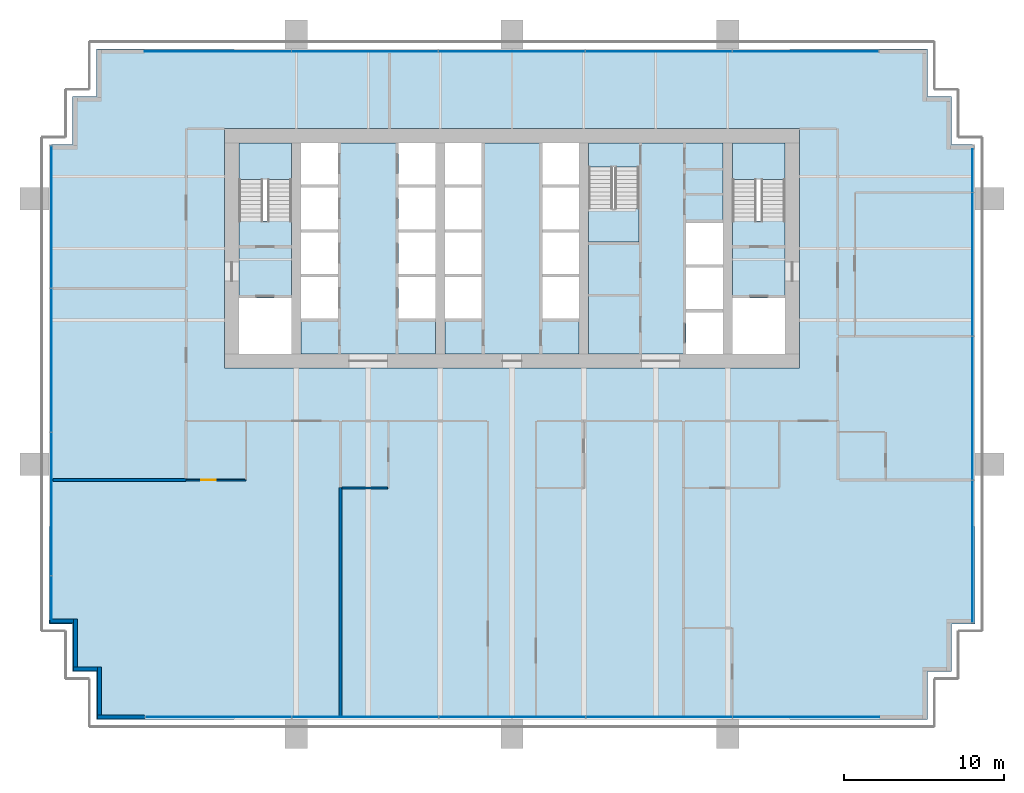
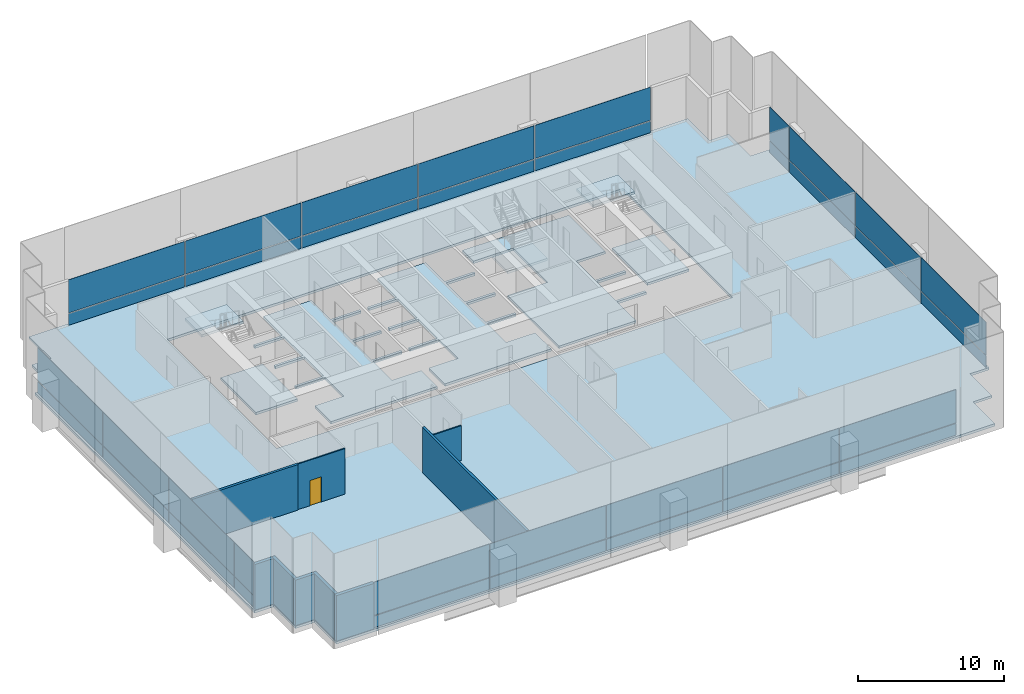
# One storey, part 9 of 16: 36 plates, 9 slabs, 9 walls, 1 door, 1 opening, 7 elements without a shape of their own.
"""IFC4 building model written with IfcOpenShell, lengths in metres."""

from ifc_helpers import new_model, si_unit, direction, frame, frame_2d, origin, origin_2d, place, context, subcontext, project, spatial, polyline, rectangle, outline, extrude, material, layer, layer_set, type_object, element, fill, aggregate, save


model = new_model("IFC4")

# Units and contexts
model_context = context("Model", 3, precision=1e-05, world=origin(), true_north=direction((0.0, 1.0)))
body_context = subcontext(model_context, "Body", "Model", "MODEL_VIEW")
ifc_project = project(units=[si_unit("LENGTHUNIT", "METRE"), si_unit("AREAUNIT", "SQUARE_METRE"), si_unit("VOLUMEUNIT", "CUBIC_METRE"), si_unit("PLANEANGLEUNIT", "RADIAN"), si_unit("MASSUNIT", "GRAM", prefix="KILO")], contexts=[model_context])

# Site, building, storey
site_placement = place(None, origin())
site = spatial("IfcSite", under=ifc_project, at=site_placement, CompositionType="ELEMENT")
building_placement = place(site_placement, origin())
building = spatial("IfcBuilding", under=site, at=building_placement, Name="Rattan Terrace Tower", CompositionType="ELEMENT")
storey_placement = place(building_placement, frame((0.0, 0.0, 150.10009765625)))
storey = spatial("IfcBuildingStorey", under=building, at=storey_placement, Name="L34", CompositionType="ELEMENT", Elevation=150.10009765625)

# Stair, slab
ifc_material_1 = material(Name="Concrete C40/50", Category="concrete")
stair_type = type_object("IfcStairType", Name="Core exit stair 1500", PredefinedType="HALF_TURN_STAIR", material=ifc_material_1)
stair_1_placement = place(storey_placement, origin())
stair_1 = element("IfcStair", 1, at=stair_1_placement, inside=storey, type_object=stair_type, Name="L34 exit stair 1", PredefinedType="HALF_TURN_STAIR")
ifc_material_2 = material(Name="Concrete C40/50", Category="concrete")
ifc_layer_1 = layer(ifc_material_2, 0.199951171875)
ifc_layer_set_1 = layer_set([ifc_layer_1], Name="Core exit stair landing")
slab_type_1 = type_object("IfcSlabType", Name="Core exit stair landing", PredefinedType="LANDING", material=ifc_layer_set_1)
slab_1_placement = place(storey_placement, frame((0.0, 0.0, 1.7998046875)))
slab_1 = element("IfcSlab", 2, at=slab_1_placement, type_object=slab_type_1, Name="S1 landing 1", PredefinedType="LANDING", context=body_context, shape_type="SweptSolid", body=[
    extrude(outline(polyline([(-13.800048828125, 4.300048828125), (-13.800048828125, 6.60009765625), (-17.10009765625, 6.60009765625), (-17.10009765625, 4.300048828125), (-13.800048828125, 4.300048828125)])), origin(), (0.0, 0.0, 1.0), 0.2001953125),
])
aggregate(stair_1, [slab_1])

stair_2_placement = place(storey_placement, origin())
stair_2 = element("IfcStair", 3, at=stair_2_placement, inside=storey, type_object=stair_type, Name="L34 exit stair 2", PredefinedType="HALF_TURN_STAIR")
slab_2_placement = place(storey_placement, frame((0.0, 0.0, 1.7998046875)))
slab_2 = element("IfcSlab", 4, at=slab_2_placement, type_object=slab_type_1, Name="S2 landing 1", PredefinedType="LANDING", context=body_context, shape_type="SweptSolid", body=[
    extrude(outline(polyline([(17.10009765625, 4.300048828125), (17.10009765625, 6.60009765625), (13.800048828125, 6.60009765625), (13.800048828125, 4.300048828125), (17.10009765625, 4.300048828125)])), origin(), (0.0, 0.0, 1.0), 0.2001953125),
])
aggregate(stair_2, [slab_2])

stair_3_placement = place(storey_placement, origin())
stair_3 = element("IfcStair", 5, at=stair_3_placement, inside=storey, type_object=stair_type, Name="L34 exit stair 3", PredefinedType="HALF_TURN_STAIR")
slab_3_placement = place(storey_placement, frame((0.0, 0.0, 1.7998046875)))
slab_3 = element("IfcSlab", 6, at=slab_3_placement, type_object=slab_type_1, Name="S3 landing 1", PredefinedType="LANDING", context=body_context, shape_type="SweptSolid", body=[
    extrude(outline(polyline([(4.800048828125, 2.5), (4.800048828125, 0.39990234375), (7.949951171875, 0.39990234375), (7.949951171875, 2.5), (4.800048828125, 2.5)])), origin(), (0.0, 0.0, 1.0), 0.2001953125),
])
aggregate(stair_3, [slab_3])

# Curtain wall, plates
ifc_material_3 = material(Name="Aluminium and glass", Category="aluminium")
curtain_wall_type = type_object("IfcCurtainWallType", Name="Facade Unitised Curtain Wall", PredefinedType="NOTDEFINED", material=ifc_material_3)
curtain_wall_1_placement = place(storey_placement, origin())
curtain_wall_1 = element("IfcCurtainWall", 7, at=curtain_wall_1_placement, inside=storey, type_object=curtain_wall_type, Name="Curtain wall L34-1", PredefinedType="NOTDEFINED")
ifc_material_4 = material(Name="Aluminium insulated spandrel panel", Category="aluminium")
ifc_layer_2 = layer(ifc_material_4, 0.028076171875)
ifc_layer_set_2 = layer_set([ifc_layer_2], Name="Facade CW Spandrel Panel")
plate_type_1 = type_object("IfcPlateType", Name="Facade CW Spandrel Panel", PredefinedType="CURTAIN_PANEL", material=ifc_layer_set_2)
plate_1_placement = place(storey_placement, frame((28.830078125, -18.96240234375, 0.0), z_axis=(0.0, 0.0, 1.0), x_axis=(0.0, 1.0, 0.0)))
plate_1 = element("IfcPlate", 8, at=plate_1_placement, type_object=plate_type_1, Name="Panel cwl-L34-001.1.1", PredefinedType="CURTAIN_PANEL", context=body_context, shape_type="SweptSolid", body=[
    extrude(rectangle(XDim=8.864990234375, YDim=0.028076171875, at=origin_2d()), origin(), (0.0, 0.0, 1.0), 0.969970703125),
])
plate_2_placement = place(storey_placement, frame((28.830078125, -10.0, 0.0), z_axis=(0.0, 0.0, 1.0), x_axis=(0.0, 1.0, 0.0)))
plate_2 = element("IfcPlate", 9, at=plate_2_placement, type_object=plate_type_1, Name="Panel cwl-L34-001.2.1", PredefinedType="CURTAIN_PANEL", context=body_context, shape_type="SweptSolid", body=[
    extrude(rectangle(XDim=8.93994140625, YDim=0.028076171875, at=origin_2d()), origin(), (0.0, 0.0, 1.0), 0.969970703125),
])
plate_3_placement = place(storey_placement, frame((28.830078125, -1.0, 0.0), z_axis=(0.0, 0.0, 1.0), x_axis=(0.0, 1.0, 0.0)))
plate_3 = element("IfcPlate", 10, at=plate_3_placement, type_object=plate_type_1, Name="Panel cwl-L34-001.3.1", PredefinedType="CURTAIN_PANEL", context=body_context, shape_type="SweptSolid", body=[
    extrude(rectangle(XDim=8.93994140625, YDim=0.028076171875, at=origin_2d()), origin(), (0.0, 0.0, 1.0), 0.969970703125),
])
plate_4_placement = place(storey_placement, frame((28.830078125, 4.867431640625, 0.0), z_axis=(0.0, 0.0, 1.0), x_axis=(0.0, 1.0, 0.0)))
plate_4 = element("IfcPlate", 11, at=plate_4_placement, type_object=plate_type_1, Name="Panel cwl-L34-001.4.1", PredefinedType="CURTAIN_PANEL", context=body_context, shape_type="SweptSolid", body=[
    extrude(rectangle(XDim=2.675048828125, YDim=0.028076171875, at=origin_2d()), origin(), (0.0, 0.0, 1.0), 0.969970703125),
])

curtain_wall_2_placement = place(storey_placement, origin())
curtain_wall_2 = element("IfcCurtainWall", 12, at=curtain_wall_2_placement, inside=storey, type_object=curtain_wall_type, Name="Curtain wall L34-2", PredefinedType="NOTDEFINED")
plate_5_placement = place(storey_placement, frame((18.384521484375, 12.330078125, 0.0), z_axis=(0.0, 0.0, 1.0), x_axis=(-1.0, 0.0, 0.0)))
plate_5 = element("IfcPlate", 13, at=plate_5_placement, type_object=plate_type_1, Name="Panel cwl-L34-002.1.1", PredefinedType="CURTAIN_PANEL", context=body_context, shape_type="SweptSolid", body=[
    extrude(rectangle(XDim=9.111083984375, YDim=0.028076171875, at=origin_2d()), origin(), (0.0, 0.0, 1.0), 0.969970703125),
])
plate_6_placement = place(storey_placement, frame((18.384521484375, 12.330078125, 1.02978515625), z_axis=(0.0, 0.0, 1.0), x_axis=(-1.0, 0.0, 0.0)))
plate_6 = element("IfcPlate", 14, at=plate_6_placement, type_object=plate_type_1, Name="Panel cwl-L34-002.1.2", PredefinedType="CURTAIN_PANEL", context=body_context, shape_type="SweptSolid", body=[
    extrude(rectangle(XDim=9.111083984375, YDim=0.028076171875, at=origin_2d()), origin(), (0.0, 0.0, 1.0), 2.77001953125),
])
plate_7_placement = place(storey_placement, frame((9.198486328125, 12.330078125, 0.0), z_axis=(0.0, 0.0, 1.0), x_axis=(-1.0, 0.0, 0.0)))
plate_7 = element("IfcPlate", 15, at=plate_7_placement, type_object=plate_type_1, Name="Panel cwl-L34-002.2.1", PredefinedType="CURTAIN_PANEL", context=body_context, shape_type="SweptSolid", body=[
    extrude(rectangle(XDim=9.14111328125, YDim=0.028076171875, at=origin_2d()), origin(), (0.0, 0.0, 1.0), 0.969970703125),
])
plate_8_placement = place(storey_placement, frame((9.198486328125, 12.330078125, 1.02978515625), z_axis=(0.0, 0.0, 1.0), x_axis=(-1.0, 0.0, 0.0)))
plate_8 = element("IfcPlate", 16, at=plate_8_placement, type_object=plate_type_1, Name="Panel cwl-L34-002.2.2", PredefinedType="CURTAIN_PANEL", context=body_context, shape_type="SweptSolid", body=[
    extrude(rectangle(XDim=9.14111328125, YDim=0.028076171875, at=origin_2d()), origin(), (0.0, 0.0, 1.0), 2.77001953125),
])
plate_9_placement = place(storey_placement, frame((-0.00244140625, 12.330078125, 0.0), z_axis=(0.0, 0.0, 1.0), x_axis=(-1.0, 0.0, 0.0)))
plate_9 = element("IfcPlate", 17, at=plate_9_placement, type_object=plate_type_1, Name="Panel cwl-L34-002.3.1", PredefinedType="CURTAIN_PANEL", context=body_context, shape_type="SweptSolid", body=[
    extrude(rectangle(XDim=9.14111328125, YDim=0.028076171875, at=origin_2d()), origin(), (0.0, 0.0, 1.0), 0.969970703125),
])
plate_10_placement = place(storey_placement, frame((-9.20361328125, 12.330078125, 0.0), z_axis=(0.0, 0.0, 1.0), x_axis=(-1.0, 0.0, 0.0)))
plate_10 = element("IfcPlate", 18, at=plate_10_placement, type_object=plate_type_1, Name="Panel cwl-L34-002.4.1", PredefinedType="CURTAIN_PANEL", context=body_context, shape_type="SweptSolid", body=[
    extrude(rectangle(XDim=9.14111328125, YDim=0.028076171875, at=origin_2d()), origin(), (0.0, 0.0, 1.0), 0.969970703125),
])
plate_11_placement = place(storey_placement, frame((-18.4169921875, 12.330078125, 0.0), z_axis=(0.0, 0.0, 1.0), x_axis=(-1.0, 0.0, 0.0)))
plate_11 = element("IfcPlate", 19, at=plate_11_placement, type_object=plate_type_1, Name="Panel cwl-L34-002.5.1", PredefinedType="CURTAIN_PANEL", context=body_context, shape_type="SweptSolid", body=[
    extrude(rectangle(XDim=9.166015625, YDim=0.028076171875, at=origin_2d()), origin(), (0.0, 0.0, 1.0), 0.969970703125),
])

curtain_wall_3_placement = place(storey_placement, origin())
curtain_wall_3 = element("IfcCurtainWall", 20, at=curtain_wall_3_placement, inside=storey, type_object=curtain_wall_type, Name="Curtain wall L34-3", PredefinedType="NOTDEFINED")
plate_12_placement = place(storey_placement, frame((-28.830078125, 1.96240234375, 0.0), z_axis=(0.0, 0.0, 1.0), x_axis=(0.0, -1.0, 0.0)))
plate_12 = element("IfcPlate", 21, at=plate_12_placement, type_object=plate_type_1, Name="Panel cwl-L34-003.1.1", PredefinedType="CURTAIN_PANEL", context=body_context, shape_type="SweptSolid", body=[
    extrude(rectangle(XDim=8.864990234375, YDim=0.028076171875, at=origin_2d()), origin(), (0.0, 0.0, 1.0), 0.969970703125),
])
plate_13_placement = place(storey_placement, frame((-28.830078125, -7.0, 0.0), z_axis=(0.0, 0.0, 1.0), x_axis=(0.0, -1.0, 0.0)))
plate_13 = element("IfcPlate", 22, at=plate_13_placement, type_object=plate_type_1, Name="Panel cwl-L34-003.2.1", PredefinedType="CURTAIN_PANEL", context=body_context, shape_type="SweptSolid", body=[
    extrude(rectangle(XDim=8.93994140625, YDim=0.028076171875, at=origin_2d()), origin(), (0.0, 0.0, 1.0), 0.969970703125),
])
plate_14_placement = place(storey_placement, frame((-28.830078125, -16.0, 0.0), z_axis=(0.0, 0.0, 1.0), x_axis=(0.0, -1.0, 0.0)))
plate_14 = element("IfcPlate", 23, at=plate_14_placement, type_object=plate_type_1, Name="Panel cwl-L34-003.3.1", PredefinedType="CURTAIN_PANEL", context=body_context, shape_type="SweptSolid", body=[
    extrude(rectangle(XDim=8.93994140625, YDim=0.028076171875, at=origin_2d()), origin(), (0.0, 0.0, 1.0), 0.969970703125),
])
plate_15_placement = place(storey_placement, frame((-28.830078125, -21.867431640625, 0.0), z_axis=(0.0, 0.0, 1.0), x_axis=(0.0, -1.0, 0.0)))
plate_15 = element("IfcPlate", 24, at=plate_15_placement, type_object=plate_type_1, Name="Panel cwl-L34-003.4.1", PredefinedType="CURTAIN_PANEL", context=body_context, shape_type="SweptSolid", body=[
    extrude(rectangle(XDim=2.675048828125, YDim=0.028076171875, at=origin_2d()), origin(), (0.0, 0.0, 1.0), 0.969970703125),
])

curtain_wall_4_placement = place(storey_placement, origin())
curtain_wall_4 = element("IfcCurtainWall", 25, at=curtain_wall_4_placement, inside=storey, type_object=curtain_wall_type, Name="Curtain wall L34-4", PredefinedType="NOTDEFINED")
plate_16_placement = place(storey_placement, frame((-18.384521484375, -29.330078125, 0.0), z_axis=(0.0, 0.0, 1.0), x_axis=(1.0, 0.0, 0.0)))
plate_16 = element("IfcPlate", 26, at=plate_16_placement, type_object=plate_type_1, Name="Panel cwl-L34-004.1.1", PredefinedType="CURTAIN_PANEL", context=body_context, shape_type="SweptSolid", body=[
    extrude(rectangle(XDim=9.111083984375, YDim=0.028076171875, at=origin_2d()), origin(), (0.0, 0.0, 1.0), 0.969970703125),
])
plate_17_placement = place(storey_placement, frame((-9.198486328125, -29.330078125, 0.0), z_axis=(0.0, 0.0, 1.0), x_axis=(1.0, 0.0, 0.0)))
plate_17 = element("IfcPlate", 27, at=plate_17_placement, type_object=plate_type_1, Name="Panel cwl-L34-004.2.1", PredefinedType="CURTAIN_PANEL", context=body_context, shape_type="SweptSolid", body=[
    extrude(rectangle(XDim=9.14111328125, YDim=0.028076171875, at=origin_2d()), origin(), (0.0, 0.0, 1.0), 0.969970703125),
])
plate_18_placement = place(storey_placement, frame((0.00244140625, -29.330078125, 0.0), z_axis=(0.0, 0.0, 1.0), x_axis=(1.0, 0.0, 0.0)))
plate_18 = element("IfcPlate", 28, at=plate_18_placement, type_object=plate_type_1, Name="Panel cwl-L34-004.3.1", PredefinedType="CURTAIN_PANEL", context=body_context, shape_type="SweptSolid", body=[
    extrude(rectangle(XDim=9.14111328125, YDim=0.028076171875, at=origin_2d()), origin(), (0.0, 0.0, 1.0), 0.969970703125),
])
plate_19_placement = place(storey_placement, frame((9.20361328125, -29.330078125, 0.0), z_axis=(0.0, 0.0, 1.0), x_axis=(1.0, 0.0, 0.0)))
plate_19 = element("IfcPlate", 29, at=plate_19_placement, type_object=plate_type_1, Name="Panel cwl-L34-004.4.1", PredefinedType="CURTAIN_PANEL", context=body_context, shape_type="SweptSolid", body=[
    extrude(rectangle(XDim=9.14111328125, YDim=0.028076171875, at=origin_2d()), origin(), (0.0, 0.0, 1.0), 0.969970703125),
])
plate_20_placement = place(storey_placement, frame((18.4169921875, -29.330078125, 0.0), z_axis=(0.0, 0.0, 1.0), x_axis=(1.0, 0.0, 0.0)))
plate_20 = element("IfcPlate", 30, at=plate_20_placement, type_object=plate_type_1, Name="Panel cwl-L34-004.5.1", PredefinedType="CURTAIN_PANEL", context=body_context, shape_type="SweptSolid", body=[
    extrude(rectangle(XDim=9.166015625, YDim=0.028076171875, at=origin_2d()), origin(), (0.0, 0.0, 1.0), 0.969970703125),
])

# Plate
ifc_material_5 = material(Name="Clear low-iron glass", Category="glass")
ifc_layer_3 = layer(ifc_material_5, 0.028076171875)
ifc_layer_set_3 = layer_set([ifc_layer_3], Name="Facade CW Vision Panel")
plate_type_2 = type_object("IfcPlateType", Name="Facade CW Vision Panel", PredefinedType="CURTAIN_PANEL", material=ifc_layer_set_3)
plate_21_placement = place(storey_placement, frame((28.830078125, -18.96240234375, 1.02978515625), z_axis=(0.0, 0.0, 1.0), x_axis=(0.0, 1.0, 0.0)))
plate_21 = element("IfcPlate", 31, at=plate_21_placement, type_object=plate_type_2, Name="Panel cwl-L34-001.1.2", PredefinedType="CURTAIN_PANEL", context=body_context, shape_type="SweptSolid", body=[
    extrude(rectangle(XDim=8.864990234375, YDim=0.028076171875, at=origin_2d()), origin(), (0.0, 0.0, 1.0), 2.77001953125),
])

plate_22_placement = place(storey_placement, frame((28.830078125, -10.0, 1.02978515625), z_axis=(0.0, 0.0, 1.0), x_axis=(0.0, 1.0, 0.0)))
plate_22 = element("IfcPlate", 32, at=plate_22_placement, type_object=plate_type_2, Name="Panel cwl-L34-001.2.2", PredefinedType="CURTAIN_PANEL", context=body_context, shape_type="SweptSolid", body=[
    extrude(rectangle(XDim=8.93994140625, YDim=0.028076171875, at=origin_2d()), origin(), (0.0, 0.0, 1.0), 2.77001953125),
])

plate_23_placement = place(storey_placement, frame((28.830078125, -1.0, 1.02978515625), z_axis=(0.0, 0.0, 1.0), x_axis=(0.0, 1.0, 0.0)))
plate_23 = element("IfcPlate", 33, at=plate_23_placement, type_object=plate_type_2, Name="Panel cwl-L34-001.3.2", PredefinedType="CURTAIN_PANEL", context=body_context, shape_type="SweptSolid", body=[
    extrude(rectangle(XDim=8.93994140625, YDim=0.028076171875, at=origin_2d()), origin(), (0.0, 0.0, 1.0), 2.77001953125),
])

plate_24_placement = place(storey_placement, frame((28.830078125, 4.867431640625, 1.02978515625), z_axis=(0.0, 0.0, 1.0), x_axis=(0.0, 1.0, 0.0)))
plate_24 = element("IfcPlate", 34, at=plate_24_placement, type_object=plate_type_2, Name="Panel cwl-L34-001.4.2", PredefinedType="CURTAIN_PANEL", context=body_context, shape_type="SweptSolid", body=[
    extrude(rectangle(XDim=2.675048828125, YDim=0.028076171875, at=origin_2d()), origin(), (0.0, 0.0, 1.0), 2.77001953125),
])

aggregate(curtain_wall_1, [plate_1, plate_21, plate_2, plate_22, plate_3, plate_23, plate_4, plate_24])

plate_25_placement = place(storey_placement, frame((-0.00244140625, 12.330078125, 1.02978515625), z_axis=(0.0, 0.0, 1.0), x_axis=(-1.0, 0.0, 0.0)))
plate_25 = element("IfcPlate", 35, at=plate_25_placement, type_object=plate_type_2, Name="Panel cwl-L34-002.3.2", PredefinedType="CURTAIN_PANEL", context=body_context, shape_type="SweptSolid", body=[
    extrude(rectangle(XDim=9.14111328125, YDim=0.028076171875, at=origin_2d()), origin(), (0.0, 0.0, 1.0), 2.77001953125),
])

plate_26_placement = place(storey_placement, frame((-9.20361328125, 12.330078125, 1.02978515625), z_axis=(0.0, 0.0, 1.0), x_axis=(-1.0, 0.0, 0.0)))
plate_26 = element("IfcPlate", 36, at=plate_26_placement, type_object=plate_type_2, Name="Panel cwl-L34-002.4.2", PredefinedType="CURTAIN_PANEL", context=body_context, shape_type="SweptSolid", body=[
    extrude(rectangle(XDim=9.14111328125, YDim=0.028076171875, at=origin_2d()), origin(), (0.0, 0.0, 1.0), 2.77001953125),
])

plate_27_placement = place(storey_placement, frame((-18.4169921875, 12.330078125, 1.02978515625), z_axis=(0.0, 0.0, 1.0), x_axis=(-1.0, 0.0, 0.0)))
plate_27 = element("IfcPlate", 37, at=plate_27_placement, type_object=plate_type_2, Name="Panel cwl-L34-002.5.2", PredefinedType="CURTAIN_PANEL", context=body_context, shape_type="SweptSolid", body=[
    extrude(rectangle(XDim=9.166015625, YDim=0.028076171875, at=origin_2d()), origin(), (0.0, 0.0, 1.0), 2.77001953125),
])

aggregate(curtain_wall_2, [plate_5, plate_6, plate_7, plate_8, plate_9, plate_25, plate_10, plate_26, plate_11, plate_27])

plate_28_placement = place(storey_placement, frame((-28.830078125, 1.96240234375, 1.02978515625), z_axis=(0.0, 0.0, 1.0), x_axis=(0.0, -1.0, 0.0)))
plate_28 = element("IfcPlate", 38, at=plate_28_placement, type_object=plate_type_2, Name="Panel cwl-L34-003.1.2", PredefinedType="CURTAIN_PANEL", context=body_context, shape_type="SweptSolid", body=[
    extrude(rectangle(XDim=8.864990234375, YDim=0.028076171875, at=origin_2d()), origin(), (0.0, 0.0, 1.0), 2.77001953125),
])

plate_29_placement = place(storey_placement, frame((-28.830078125, -7.0, 1.02978515625), z_axis=(0.0, 0.0, 1.0), x_axis=(0.0, -1.0, 0.0)))
plate_29 = element("IfcPlate", 39, at=plate_29_placement, type_object=plate_type_2, Name="Panel cwl-L34-003.2.2", PredefinedType="CURTAIN_PANEL", context=body_context, shape_type="SweptSolid", body=[
    extrude(rectangle(XDim=8.93994140625, YDim=0.028076171875, at=origin_2d()), origin(), (0.0, 0.0, 1.0), 2.77001953125),
])

plate_30_placement = place(storey_placement, frame((-28.830078125, -16.0, 1.02978515625), z_axis=(0.0, 0.0, 1.0), x_axis=(0.0, -1.0, 0.0)))
plate_30 = element("IfcPlate", 40, at=plate_30_placement, type_object=plate_type_2, Name="Panel cwl-L34-003.3.2", PredefinedType="CURTAIN_PANEL", context=body_context, shape_type="SweptSolid", body=[
    extrude(rectangle(XDim=8.93994140625, YDim=0.028076171875, at=origin_2d()), origin(), (0.0, 0.0, 1.0), 2.77001953125),
])

plate_31_placement = place(storey_placement, frame((-28.830078125, -21.867431640625, 1.02978515625), z_axis=(0.0, 0.0, 1.0), x_axis=(0.0, -1.0, 0.0)))
plate_31 = element("IfcPlate", 41, at=plate_31_placement, type_object=plate_type_2, Name="Panel cwl-L34-003.4.2", PredefinedType="CURTAIN_PANEL", context=body_context, shape_type="SweptSolid", body=[
    extrude(rectangle(XDim=2.675048828125, YDim=0.028076171875, at=origin_2d()), origin(), (0.0, 0.0, 1.0), 2.77001953125),
])

aggregate(curtain_wall_3, [plate_12, plate_28, plate_13, plate_29, plate_14, plate_30, plate_15, plate_31])

plate_32_placement = place(storey_placement, frame((-18.384521484375, -29.330078125, 1.02978515625), z_axis=(0.0, 0.0, 1.0), x_axis=(1.0, 0.0, 0.0)))
plate_32 = element("IfcPlate", 42, at=plate_32_placement, type_object=plate_type_2, Name="Panel cwl-L34-004.1.2", PredefinedType="CURTAIN_PANEL", context=body_context, shape_type="SweptSolid", body=[
    extrude(rectangle(XDim=9.111083984375, YDim=0.028076171875, at=origin_2d()), origin(), (0.0, 0.0, 1.0), 2.77001953125),
])

plate_33_placement = place(storey_placement, frame((-9.198486328125, -29.330078125, 1.02978515625), z_axis=(0.0, 0.0, 1.0), x_axis=(1.0, 0.0, 0.0)))
plate_33 = element("IfcPlate", 43, at=plate_33_placement, type_object=plate_type_2, Name="Panel cwl-L34-004.2.2", PredefinedType="CURTAIN_PANEL", context=body_context, shape_type="SweptSolid", body=[
    extrude(rectangle(XDim=9.14111328125, YDim=0.028076171875, at=origin_2d()), origin(), (0.0, 0.0, 1.0), 2.77001953125),
])

plate_34_placement = place(storey_placement, frame((0.00244140625, -29.330078125, 1.02978515625), z_axis=(0.0, 0.0, 1.0), x_axis=(1.0, 0.0, 0.0)))
plate_34 = element("IfcPlate", 44, at=plate_34_placement, type_object=plate_type_2, Name="Panel cwl-L34-004.3.2", PredefinedType="CURTAIN_PANEL", context=body_context, shape_type="SweptSolid", body=[
    extrude(rectangle(XDim=9.14111328125, YDim=0.028076171875, at=origin_2d()), origin(), (0.0, 0.0, 1.0), 2.77001953125),
])

plate_35_placement = place(storey_placement, frame((9.20361328125, -29.330078125, 1.02978515625), z_axis=(0.0, 0.0, 1.0), x_axis=(1.0, 0.0, 0.0)))
plate_35 = element("IfcPlate", 45, at=plate_35_placement, type_object=plate_type_2, Name="Panel cwl-L34-004.4.2", PredefinedType="CURTAIN_PANEL", context=body_context, shape_type="SweptSolid", body=[
    extrude(rectangle(XDim=9.14111328125, YDim=0.028076171875, at=origin_2d()), origin(), (0.0, 0.0, 1.0), 2.77001953125),
])

plate_36_placement = place(storey_placement, frame((18.4169921875, -29.330078125, 1.02978515625), z_axis=(0.0, 0.0, 1.0), x_axis=(1.0, 0.0, 0.0)))
plate_36 = element("IfcPlate", 46, at=plate_36_placement, type_object=plate_type_2, Name="Panel cwl-L34-004.5.2", PredefinedType="CURTAIN_PANEL", context=body_context, shape_type="SweptSolid", body=[
    extrude(rectangle(XDim=9.166015625, YDim=0.028076171875, at=origin_2d()), origin(), (0.0, 0.0, 1.0), 2.77001953125),
])

aggregate(curtain_wall_4, [plate_16, plate_32, plate_17, plate_33, plate_18, plate_34, plate_19, plate_35, plate_20, plate_36])

# Slabs
ifc_material_6 = material(Name="Concrete C35/45", Category="concrete")
ifc_layer_4 = layer(ifc_material_6, 0.199951171875)
ifc_layer_set_4 = layer_set([ifc_layer_4], Name="Frame composite floor slab 200")
slab_type_2 = type_object("IfcSlabType", Name="Frame composite floor slab 200", PredefinedType="FLOOR", material=ifc_layer_set_4)
slab_4_placement = place(storey_placement, frame((0.0, 0.0, -0.2001953125)))
element("IfcSlab", 47, at=slab_4_placement, inside=storey, type_object=slab_type_2, Name="Floor slab", PredefinedType="FLOOR", context=body_context, shape_type="SweptSolid", body=[
    extrude(outline(polyline([(-23.0, -29.5), (23.0, -29.5), (26.0, -29.5), (26.0, -26.5), (27.5, -26.5), (27.5, -23.5), (29.0, -23.5), (29.0, 6.5), (27.5, 6.5), (27.5, 9.5), (26.0, 9.5), (26.0, 12.5), (23.0, 12.5), (-23.0, 12.5), (-26.0, 12.5), (-26.0, 9.5), (-27.5, 9.5), (-27.5, 6.5), (-29.0, 6.5), (-29.0, -23.5), (-27.5, -23.5), (-27.5, -26.5), (-26.0, -26.5), (-26.0, -29.5), (-23.0, -29.5)]), holes=[polyline([(-18.0, -6.60009765625), (-18.0, -7.5), (18.0, -7.5), (18.0, -6.60009765625), (18.0, 6.60009765625), (18.0, 7.5), (-18.0, 7.5), (-18.0, 6.60009765625), (-18.0, -6.60009765625)])]), origin(), (0.0, 0.0, 1.0), 0.2001953125),
])
slab_5_placement = place(storey_placement, frame((0.0, 0.0, -0.2001953125)))
element("IfcSlab", 48, at=slab_5_placement, inside=storey, type_object=slab_type_2, Name="Floor slab", PredefinedType="FLOOR", context=body_context, shape_type="SweptSolid", body=[
    extrude(outline(polyline([(-10.89990234375, 6.60009765625), (-10.89990234375, 4.0), (-13.199951171875, 4.0), (-13.199951171875, 3.800048828125), (-10.89990234375, 3.800048828125), (-10.89990234375, 1.199951171875), (-13.199951171875, 1.199951171875), (-13.199951171875, 1.0), (-10.89990234375, 1.0), (-10.89990234375, -1.60009765625), (-13.199951171875, -1.60009765625), (-13.199951171875, -1.800048828125), (-10.89990234375, -1.800048828125), (-10.89990234375, -4.39990234375), (-13.199951171875, -4.39990234375), (-13.199951171875, -6.60009765625), (-4.800048828125, -6.60009765625), (-4.800048828125, -4.39990234375), (-7.10009765625, -4.39990234375), (-7.10009765625, -1.800048828125), (-4.800048828125, -1.800048828125), (-4.800048828125, -1.60009765625), (-7.10009765625, -1.60009765625), (-7.10009765625, 1.0), (-4.800048828125, 1.0), (-4.800048828125, 1.199951171875), (-7.10009765625, 1.199951171875), (-7.10009765625, 3.800048828125), (-4.800048828125, 3.800048828125), (-4.800048828125, 4.0), (-7.10009765625, 4.0), (-7.10009765625, 6.60009765625), (-10.89990234375, 6.60009765625)])), origin(), (0.0, 0.0, 1.0), 0.2001953125),
])
slab_6_placement = place(storey_placement, frame((0.0, 0.0, -0.2001953125)))
element("IfcSlab", 49, at=slab_6_placement, inside=storey, type_object=slab_type_2, Name="Floor slab", PredefinedType="FLOOR", context=body_context, shape_type="SweptSolid", body=[
    extrude(outline(polyline([(-17.10009765625, -3.10009765625), (-13.800048828125, -3.10009765625), (-13.800048828125, 1.7099609375), (-17.10009765625, 1.7099609375), (-17.10009765625, -3.10009765625)])), origin(), (0.0, 0.0, 1.0), 0.2001953125),
])
slab_7_placement = place(storey_placement, frame((0.0, 0.0, -0.2001953125)))
element("IfcSlab", 50, at=slab_7_placement, inside=storey, type_object=slab_type_2, Name="Floor slab", PredefinedType="FLOOR", context=body_context, shape_type="SweptSolid", body=[
    extrude(outline(polyline([(-4.199951171875, 4.0), (-4.199951171875, 3.800048828125), (-1.89990234375, 3.800048828125), (-1.89990234375, 1.199951171875), (-4.199951171875, 1.199951171875), (-4.199951171875, 1.0), (-1.89990234375, 1.0), (-1.89990234375, -1.60009765625), (-4.199951171875, -1.60009765625), (-4.199951171875, -1.800048828125), (-1.89990234375, -1.800048828125), (-1.89990234375, -4.39990234375), (-4.199951171875, -4.39990234375), (-4.199951171875, -6.60009765625), (4.199951171875, -6.60009765625), (4.199951171875, -4.39990234375), (1.89990234375, -4.39990234375), (1.89990234375, -1.800048828125), (4.199951171875, -1.800048828125), (4.199951171875, -1.60009765625), (1.89990234375, -1.60009765625), (1.89990234375, 1.0), (4.199951171875, 1.0), (4.199951171875, 1.199951171875), (1.89990234375, 1.199951171875), (1.89990234375, 3.800048828125), (4.199951171875, 3.800048828125), (4.199951171875, 4.0), (1.89990234375, 4.0), (1.89990234375, 6.60009765625), (-1.89990234375, 6.60009765625), (-1.89990234375, 4.0), (-4.199951171875, 4.0)])), origin(), (0.0, 0.0, 1.0), 0.2001953125),
])
slab_8_placement = place(storey_placement, frame((0.0, 0.0, -0.2001953125)))
element("IfcSlab", 51, at=slab_8_placement, inside=storey, type_object=slab_type_2, Name="Floor slab", PredefinedType="FLOOR", context=body_context, shape_type="SweptSolid", body=[
    extrude(outline(polyline([(4.800048828125, 5.090087890625), (7.949951171875, 5.090087890625), (7.949951171875, 0.39990234375), (4.800048828125, 0.39990234375), (4.800048828125, -6.60009765625), (10.89990234375, -6.60009765625), (10.89990234375, -4.0), (13.199951171875, -4.0), (13.199951171875, -3.800048828125), (10.89990234375, -3.800048828125), (10.89990234375, -1.199951171875), (13.199951171875, -1.199951171875), (13.199951171875, -1.0), (10.89990234375, -1.0), (10.89990234375, 1.60009765625), (13.199951171875, 1.60009765625), (13.199951171875, 6.60009765625), (4.800048828125, 6.60009765625), (4.800048828125, 5.090087890625)])), origin(), (0.0, 0.0, 1.0), 0.2001953125),
])
slab_9_placement = place(storey_placement, frame((0.0, 0.0, -0.2001953125)))
element("IfcSlab", 52, at=slab_9_placement, inside=storey, type_object=slab_type_2, Name="Floor slab", PredefinedType="FLOOR", context=body_context, shape_type="SweptSolid", body=[
    extrude(outline(polyline([(13.800048828125, -3.10009765625), (17.10009765625, -3.10009765625), (17.10009765625, 1.7099609375), (13.800048828125, 1.7099609375), (13.800048828125, -3.10009765625)])), origin(), (0.0, 0.0, 1.0), 0.2001953125),
])

# Walls
ifc_material_7 = material(Name="Insulated aluminium-clad stud wall", Category="aluminium")
ifc_layer_5 = layer(ifc_material_7, 0.25)
ifc_layer_set_5 = layer_set([ifc_layer_5], Name="Facade Riser Wall 250")
wall_type_1 = type_object("IfcWallType", Name="Facade Riser Wall 250", PredefinedType="SOLIDWALL", material=ifc_layer_set_5)
wall_1_placement = place(storey_placement, frame((-28.909912109375, -23.330078125, 0.0), z_axis=(0.0, 0.0, 1.0), x_axis=(1.0, 0.0, 0.0)))
element("IfcWall", 53, at=wall_1_placement, inside=storey, type_object=wall_type_1, Name="Riser wall L34-16", PredefinedType="SOLIDWALL", context=body_context, shape_type="SweptSolid", body=[
    extrude(rectangle(XDim=1.454833984375, YDim=0.25, at=frame_2d((0.7275390625, 0.0))), origin(), (0.0, 0.0, 1.0), 3.7998046875),
])
wall_2_placement = place(storey_placement, frame((-27.330078125, -23.205078125, 0.0), z_axis=(0.0, 0.0, 1.0), x_axis=(0.0, -1.0, 0.0)))
element("IfcWall", 54, at=wall_2_placement, inside=storey, type_object=wall_type_1, Name="Riser wall L34-17", PredefinedType="SOLIDWALL", context=body_context, shape_type="SweptSolid", body=[
    extrude(rectangle(XDim=3.0, YDim=0.25, at=frame_2d((1.5, 0.0))), origin(), (0.0, 0.0, 1.0), 3.7998046875),
])
wall_3_placement = place(storey_placement, frame((-27.455078125, -26.330078125, 0.0), z_axis=(0.0, 0.0, 1.0), x_axis=(1.0, 0.0, 0.0)))
element("IfcWall", 55, at=wall_3_placement, inside=storey, type_object=wall_type_1, Name="Riser wall L34-18", PredefinedType="SOLIDWALL", context=body_context, shape_type="SweptSolid", body=[
    extrude(rectangle(XDim=1.5, YDim=0.25, at=frame_2d((0.75, 0.0))), origin(), (0.0, 0.0, 1.0), 3.7998046875),
])
wall_4_placement = place(storey_placement, frame((-25.830078125, -26.205078125, 0.0), z_axis=(0.0, 0.0, 1.0), x_axis=(0.0, -1.0, 0.0)))
element("IfcWall", 56, at=wall_4_placement, inside=storey, type_object=wall_type_1, Name="Riser wall L34-19", PredefinedType="SOLIDWALL", context=body_context, shape_type="SweptSolid", body=[
    extrude(rectangle(XDim=3.0, YDim=0.25, at=frame_2d((1.5, 0.0))), origin(), (0.0, 0.0, 1.0), 3.7998046875),
])
wall_5_placement = place(storey_placement, frame((-25.955078125, -29.330078125, 0.0), z_axis=(0.0, 0.0, 1.0), x_axis=(1.0, 0.0, 0.0)))
element("IfcWall", 57, at=wall_5_placement, inside=storey, type_object=wall_type_1, Name="Riser wall L34-20", PredefinedType="SOLIDWALL", context=body_context, shape_type="SweptSolid", body=[
    extrude(rectangle(XDim=2.955078125, YDim=0.25, at=frame_2d((1.4775390625, 0.0))), origin(), (0.0, 0.0, 1.0), 3.7998046875),
])
ifc_material_8 = material(Name="Double steel stud acoustic partition, gypsum board, mineral wool, fire rated", Category="steel")
ifc_layer_6 = layer(ifc_material_8, 0.179931640625)
ifc_layer_set_6 = layer_set([ifc_layer_6], Name="Floors Acoustic Party Wall 180")
wall_type_2 = type_object("IfcWallType", Name="Floors Acoustic Party Wall 180", PredefinedType="PARTITIONING", material=ifc_layer_set_6)
wall_6_placement = place(storey_placement, frame((-20.39990234375, -14.5, 0.0), z_axis=(0.0, 0.0, 1.0), x_axis=(-1.0, 0.0, 0.0)))
element("IfcWall", 58, at=wall_6_placement, inside=storey, type_object=wall_type_2, Name="pt-L34-019", PredefinedType="PARTITIONING", context=body_context, shape_type="SweptSolid", body=[
    extrude(rectangle(XDim=8.340087890625, YDim=0.179931640625, at=frame_2d((4.169921875, 0.0))), origin(), (0.0, 0.0, 1.0), 3.7998046875),
])
wall_7_placement = place(storey_placement, frame((-10.73291015625, -14.97998046875, 0.0), z_axis=(0.0, 0.0, 1.0), x_axis=(0.0, -1.0, 0.0)))
element("IfcWall", 59, at=wall_7_placement, inside=storey, type_object=wall_type_2, Name="pt-L34-043", PredefinedType="PARTITIONING", context=body_context, shape_type="SweptSolid", body=[
    extrude(rectangle(XDim=14.260009765625, YDim=0.179931640625, at=frame_2d((7.1298828125, 0.0))), origin(), (0.0, 0.0, 1.0), 3.7998046875),
])

# Wall, opening, door
ifc_material_9 = material(Name="Gypsum board partition on steel studs", Category="steel")
ifc_layer_7 = layer(ifc_material_9, 0.10009765625)
ifc_layer_set_7 = layer_set([ifc_layer_7], Name="Floors Partition 100")
wall_type_3 = type_object("IfcWallType", Name="Floors Partition 100", PredefinedType="PARTITIONING", material=ifc_layer_set_7)
wall_8_placement = place(storey_placement, frame((-20.39990234375, -14.5, 0.0), z_axis=(0.0, 0.0, 1.0), x_axis=(1.0, 0.0, 0.0)))
wall_8 = element("IfcWall", 60, at=wall_8_placement, inside=storey, type_object=wall_type_3, Name="pt-L34-041", PredefinedType="PARTITIONING", context=body_context, shape_type="SweptSolid", body=[
    extrude(rectangle(XDim=3.739990234375, YDim=0.10009765625, at=frame_2d((1.8701171875, 0.0))), origin(), (0.0, 0.0, 1.0), 3.7998046875),
])
opening_placement = place(wall_8_placement, frame((0.951904296875, 0.0, 0.0)))
opening = element("IfcOpeningElement", 61, at=opening_placement, cuts=wall_8, Name="Opening L34-D112", PredefinedType="OPENING", context=body_context, shape_type="SweptSolid", body=[
    extrude(rectangle(XDim=0.89990234375, YDim=2.10009765625, at=frame_2d((0.449951171875, 1.050048828125))), frame((0.0, 0.060546875, 0.0), z_axis=(0.0, -1.0, 0.0), x_axis=(1.0, 0.0, 0.0)), (0.0, 0.0, 1.0), 0.12109375),
])
ifc_material_10 = material(Name="Solid core timber door, painted", Category="wood")
door_type = type_object("IfcDoorType", Name="Floors Door 900x2100", OperationType="NOTDEFINED", PredefinedType="DOOR", material=ifc_material_10)
door_placement = place(opening_placement, origin())
door = element("IfcDoor", 62, at=door_placement, inside=storey, type_object=door_type, Name="d-L34-112", OperationType="SINGLE_SWING_LEFT", OverallHeight=2.10009765625, OverallWidth=0.89990234375, PredefinedType="DOOR", context=body_context, shape_type="SweptSolid", body=[
    extrude(rectangle(XDim=0.89990234375, YDim=2.10009765625, at=frame_2d((0.449951171875, 1.050048828125))), frame((0.0, 0.02490234375, 0.0), z_axis=(0.0, -1.0, 0.0), x_axis=(1.0, 0.0, 0.0)), (0.0, 0.0, 1.0), 0.050048828125),
])
fill(opening, door)

# Wall
wall_9_placement = place(storey_placement, frame((-10.64306640625, -15.0, 0.0), z_axis=(0.0, 0.0, 1.0), x_axis=(1.0, 0.0, 0.0)))
element("IfcWall", 63, at=wall_9_placement, inside=storey, type_object=wall_type_3, Name="pt-L34-045", PredefinedType="PARTITIONING", context=body_context, shape_type="SweptSolid", body=[
    extrude(rectangle(XDim=2.860107421875, YDim=0.10009765625, at=frame_2d((1.43017578125, 0.0))), origin(), (0.0, 0.0, 1.0), 2.89990234375),
])

save(model, "model.ifc")
